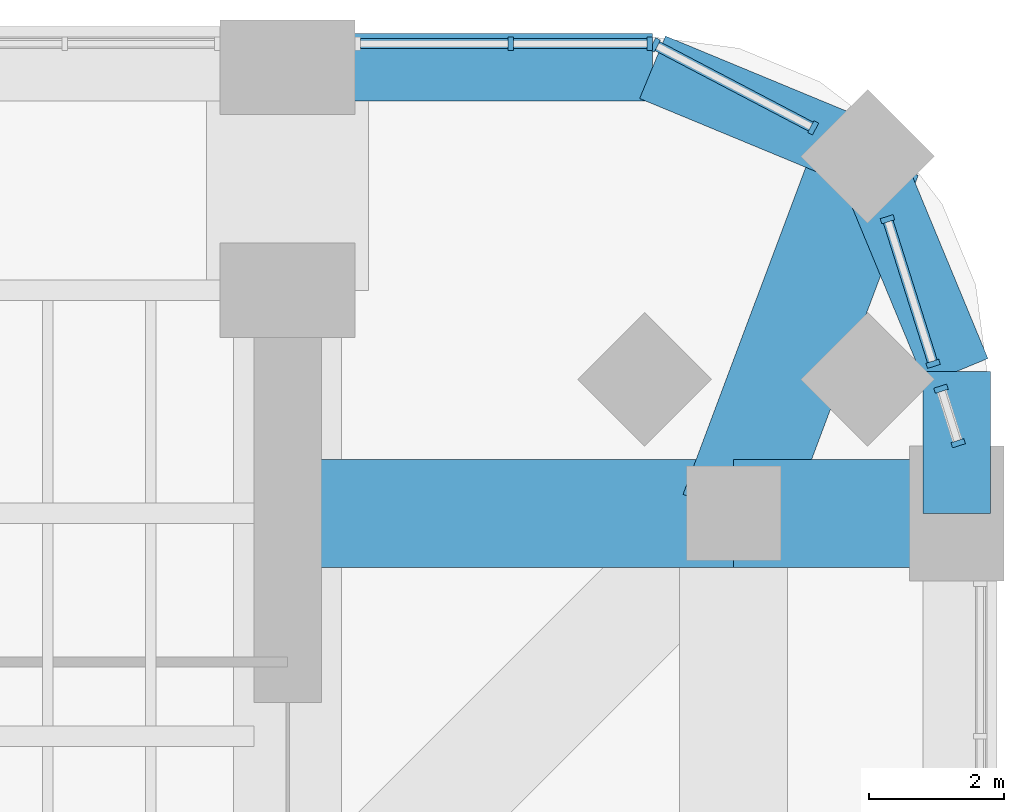
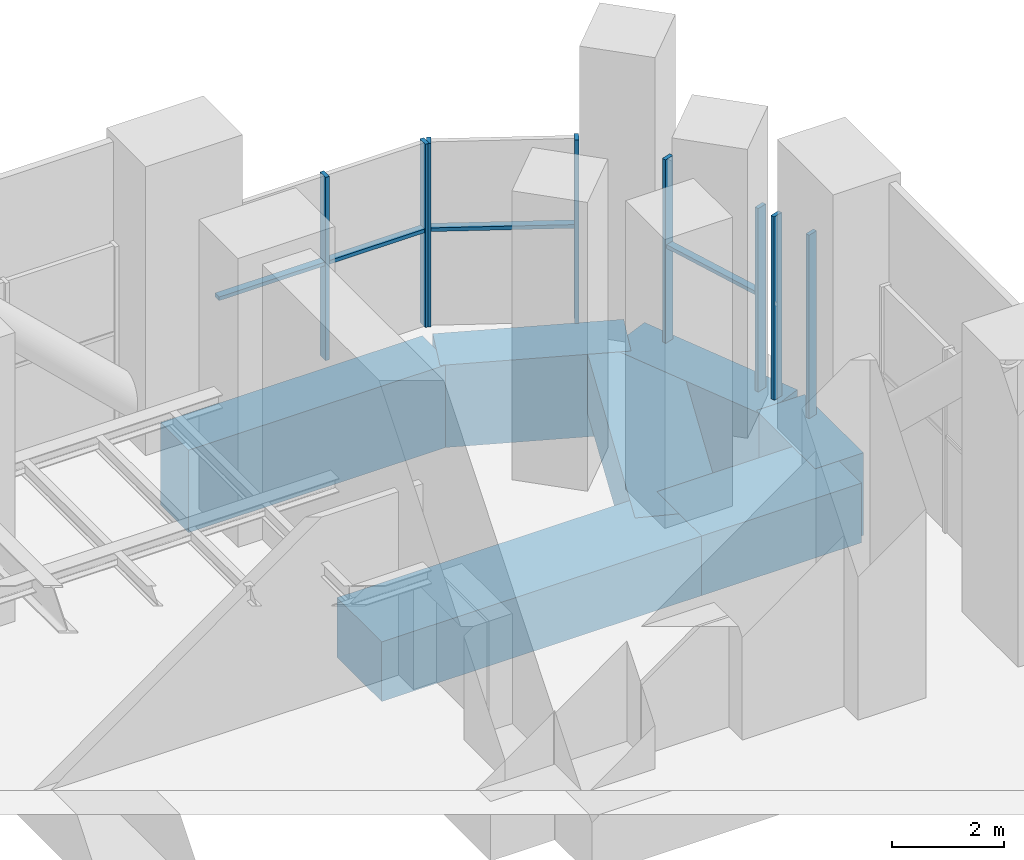
# One storey, part 9 of 16: 12 members, 7 beams, 4 elements without a shape of their own.
"""IFC4 building model written with IfcOpenShell, lengths in metres."""

from ifc_helpers import new_model, si_unit, direction, frame, origin, origin_2d, place, context, subcontext, project, spatial, rectangle, extrude, material, material_profile, profile_set, type_object, element, aggregate, save


model = new_model("IFC4")

# Units and contexts
model_context = context("Model", 3, precision=1e-05, world=origin(), true_north=direction((0.0, 1.0)))
body_context = subcontext(model_context, "Body", "Model", "MODEL_VIEW")
ifc_project = project(units=[si_unit("LENGTHUNIT", "METRE"), si_unit("AREAUNIT", "SQUARE_METRE"), si_unit("VOLUMEUNIT", "CUBIC_METRE"), si_unit("PLANEANGLEUNIT", "RADIAN"), si_unit("MASSUNIT", "GRAM", prefix="KILO")], contexts=[model_context])

# Site, building, storey
site_placement = place(None, origin())
site = spatial("IfcSite", under=ifc_project, at=site_placement, CompositionType="ELEMENT")
building_placement = place(site_placement, origin())
building = spatial("IfcBuilding", under=site, at=building_placement, Name="Cobogo Forest Laboratory Tower", CompositionType="ELEMENT")
storey_placement = place(building_placement, frame((0.0, 0.0, 149.39990234375)))
storey = spatial("IfcBuildingStorey", under=building, at=storey_placement, Name="L34", CompositionType="ELEMENT", Elevation=149.39990234375)

# Curtain wall, members
ifc_material_1 = material(Name="Aluminium curtain wall", Category="aluminium")
curtain_wall_type = type_object("IfcCurtainWallType", Name="CW-P louvred curtain wall, plant floors", PredefinedType="USERDEFINED", material=ifc_material_1)
curtain_wall_1_placement = place(storey_placement, origin())
curtain_wall_1 = element("IfcCurtainWall", 1, at=curtain_wall_1_placement, inside=storey, type_object=curtain_wall_type, Name="Curtain wall 15 L34", ObjectType="LOUVRED CURTAIN WALL", PredefinedType="USERDEFINED")
ifc_material_2 = material(Name="Aluminium mullion", Category="aluminium")
ifc_material_profile_1 = material_profile(ifc_material_2, rectangle(XDim=0.080078125, YDim=0.199951171875, at=origin_2d()), Name="AL 80x200")
ifc_profile_set_1 = profile_set([ifc_material_profile_1], Name="Aluminium mullion")
member_type_1 = type_object("IfcMemberType", Name="MU-3 aluminium louvre mullion 80x200", PredefinedType="MULLION", material=ifc_profile_set_1)
member_1_placement = place(storey_placement, frame((49.522216796875, 40.63818359375, 0.0), z_axis=(0.0, 0.0, 1.0), x_axis=(-0.301135352577, 0.953581406818, 0.0)))
member_1 = element("IfcMember", 2, at=member_1_placement, type_object=member_type_1, Name="CW-P mullion 1", PredefinedType="MULLION", context=body_context, shape_type="SweptSolid", body=[
    extrude(rectangle(XDim=0.080078125, YDim=0.199951171875, at=origin_2d()), origin(), (0.0, 0.0, 1.0), 4.0),
])
member_2_placement = place(storey_placement, frame((49.267822265625, 41.44384765625, 0.0), z_axis=(0.0, 0.0, 1.0), x_axis=(-0.301135352577, 0.953581406818, 0.0)))
member_2 = element("IfcMember", 3, at=member_2_placement, type_object=member_type_1, Name="CW-P mullion 2", PredefinedType="MULLION", context=body_context, shape_type="SweptSolid", body=[
    extrude(rectangle(XDim=0.080078125, YDim=0.199951171875, at=origin_2d()), origin(), (0.0, 0.0, 1.0), 4.0),
])
aggregate(curtain_wall_1, [member_1, member_2])

curtain_wall_2_placement = place(storey_placement, origin())
curtain_wall_2 = element("IfcCurtainWall", 4, at=curtain_wall_2_placement, inside=storey, type_object=curtain_wall_type, Name="Curtain wall 16 L34", ObjectType="LOUVRED CURTAIN WALL", PredefinedType="USERDEFINED")
member_3_placement = place(storey_placement, frame((49.1513671875, 41.8125, 0.0), z_axis=(0.0, 0.0, 1.0), x_axis=(-0.301135343623, 0.953581409645, 0.0)))
member_3 = element("IfcMember", 5, at=member_3_placement, type_object=member_type_1, Name="CW-P mullion 1", PredefinedType="MULLION", context=body_context, shape_type="SweptSolid", body=[
    extrude(rectangle(XDim=0.080078125, YDim=0.199951171875, at=origin_2d()), origin(), (0.0, 0.0, 1.0), 4.0),
])
member_4_placement = place(storey_placement, frame((48.475830078125, 43.95166015625, 0.0), z_axis=(0.0, 0.0, 1.0), x_axis=(-0.301135343623, 0.953581409645, 0.0)))
member_4 = element("IfcMember", 6, at=member_4_placement, type_object=member_type_1, Name="CW-P mullion 2", PredefinedType="MULLION", context=body_context, shape_type="SweptSolid", body=[
    extrude(rectangle(XDim=0.080078125, YDim=0.199951171875, at=origin_2d()), origin(), (0.0, 0.0, 1.0), 4.0),
])

curtain_wall_3_placement = place(storey_placement, origin())
curtain_wall_3 = element("IfcCurtainWall", 7, at=curtain_wall_3_placement, inside=storey, type_object=curtain_wall_type, Name="Curtain wall 17 L34", ObjectType="LOUVRED CURTAIN WALL", PredefinedType="USERDEFINED")
member_5_placement = place(storey_placement, frame((47.37646484375, 45.30419921875, 0.0), z_axis=(0.0, 0.0, 1.0), x_axis=(-0.885686540666, 0.464283697413, 0.0)))
member_5 = element("IfcMember", 8, at=member_5_placement, type_object=member_type_1, Name="CW-P mullion 1", PredefinedType="MULLION", context=body_context, shape_type="SweptSolid", body=[
    extrude(rectangle(XDim=0.080078125, YDim=0.199951171875, at=origin_2d()), origin(), (0.0, 0.0, 1.0), 4.0),
])
member_6_placement = place(storey_placement, frame((45.035400390625, 46.531494140625, 0.0), z_axis=(0.0, 0.0, 1.0), x_axis=(-0.885686540666, 0.464283697413, 0.0)))
member_6 = element("IfcMember", 9, at=member_6_placement, type_object=member_type_1, Name="CW-P mullion 2", PredefinedType="MULLION", context=body_context, shape_type="SweptSolid", body=[
    extrude(rectangle(XDim=0.080078125, YDim=0.199951171875, at=origin_2d()), origin(), (0.0, 0.0, 1.0), 4.0),
])

curtain_wall_4_placement = place(storey_placement, origin())
curtain_wall_4 = element("IfcCurtainWall", 10, at=curtain_wall_4_placement, inside=storey, type_object=curtain_wall_type, Name="Curtain wall 18 L34", ObjectType="LOUVRED CURTAIN WALL", PredefinedType="USERDEFINED")
member_7_placement = place(storey_placement, frame((44.9599609375, 46.550048828125, 0.0), z_axis=(0.0, 0.0, 1.0), x_axis=(-1.0, 0.0, 0.0)))
member_7 = element("IfcMember", 11, at=member_7_placement, type_object=member_type_1, Name="CW-P mullion 1", PredefinedType="MULLION", context=body_context, shape_type="SweptSolid", body=[
    extrude(rectangle(XDim=0.080078125, YDim=0.199951171875, at=origin_2d()), origin(), (0.0, 0.0, 1.0), 4.0),
])
member_8_placement = place(storey_placement, frame((42.89990234375, 46.550048828125, 0.0), z_axis=(0.0, 0.0, 1.0), x_axis=(-1.0, 0.0, 0.0)))
member_8 = element("IfcMember", 12, at=member_8_placement, type_object=member_type_1, Name="CW-P mullion 2", PredefinedType="MULLION", context=body_context, shape_type="SweptSolid", body=[
    extrude(rectangle(XDim=0.080078125, YDim=0.199951171875, at=origin_2d()), origin(), (0.0, 0.0, 1.0), 4.0),
])

# Beams
ifc_material_3 = material(Name="Concrete HA-40 (C40/50)", Category="concrete")
ifc_material_profile_2 = material_profile(ifc_material_3, rectangle(XDim=1.60009765625, YDim=1.300048828125, at=origin_2d()), Name="RC 1600x1300")
ifc_profile_set_2 = profile_set([ifc_material_profile_2], Name="Concrete HA-40 (C40/50)")
beam_type_1 = type_object("IfcBeamType", Name="Plant and roof garden wide beam 1600x1300", PredefinedType="BEAM", material=ifc_profile_set_2)
beam_1_placement = place(storey_placement, frame((49.5, 39.60009765625, -1.0), z_axis=(-1.0, 0.0, 0.0), x_axis=(0.0, -1.0, 0.0)))
element("IfcBeam", 13, at=beam_1_placement, inside=storey, type_object=beam_type_1, Name="RB4 G-NE-YF L34", PredefinedType="BEAM", context=body_context, shape_type="SweptSolid", body=[
    extrude(rectangle(XDim=1.60009765625, YDim=1.300048828125, at=origin_2d()), origin(), (0.0, 0.0, 1.0), 3.300048828125),
])
beam_2_placement = place(storey_placement, frame((46.199951171875, 39.60009765625, -1.0), z_axis=(-1.0, 0.0, 0.0), x_axis=(0.0, -1.0, 0.0)))
element("IfcBeam", 14, at=beam_2_placement, inside=storey, type_object=beam_type_1, Name="RB4 G-NE-YC L34", PredefinedType="BEAM", context=body_context, shape_type="SweptSolid", body=[
    extrude(rectangle(XDim=1.60009765625, YDim=1.300048828125, at=origin_2d()), origin(), (0.0, 0.0, 1.0), 6.599853515625),
])
beam_3_placement = place(storey_placement, frame((48.181884765625, 44.882080078125, -1.0), z_axis=(-0.351308391925, -0.936259800356, 0.0), x_axis=(0.936259800356, -0.351308391925, 0.0)))
element("IfcBeam", 15, at=beam_3_placement, inside=storey, type_object=beam_type_1, Name="RB4 G-NE-D1 L34", PredefinedType="BEAM", context=body_context, shape_type="SweptSolid", body=[
    extrude(rectangle(XDim=1.60009765625, YDim=1.300048828125, at=origin_2d()), origin(), (0.0, 0.0, 1.0), 5.6416015625),
])
ifc_material_profile_3 = material_profile(ifc_material_3, rectangle(XDim=1.0, YDim=1.800048828125, at=origin_2d()), Name="RC 1000x1800")
ifc_profile_set_3 = profile_set([ifc_material_profile_3], Name="Concrete HA-40 (C40/50)")
beam_type_2 = type_object("IfcBeamType", Name="Plant floor perimeter girder 1000x1800", PredefinedType="BEAM", material=ifc_profile_set_3)
beam_4_placement = place(storey_placement, frame((49.5, 39.60009765625, -1.25), z_axis=(0.0, 1.0, 0.0), x_axis=(-1.0, 0.0, 0.0)))
element("IfcBeam", 16, at=beam_4_placement, inside=storey, type_object=beam_type_2, Name="TG1 E-NEE1 L34", PredefinedType="BEAM", context=body_context, shape_type="SweptSolid", body=[
    extrude(rectangle(XDim=1.0, YDim=1.800048828125, at=origin_2d()), origin(), (0.0, 0.0, 1.0), 2.099853515625),
])
beam_5_placement = place(storey_placement, frame((49.5, 41.699951171875, -1.25), z_axis=(-0.382691928466, 0.923876013265, 0.0), x_axis=(-0.923876013265, -0.382691928466, 0.0)))
element("IfcBeam", 17, at=beam_5_placement, inside=storey, type_object=beam_type_2, Name="TG1 E-NEE2 L34", PredefinedType="BEAM", context=body_context, shape_type="SweptSolid", body=[
    extrude(rectangle(XDim=1.0, YDim=1.800048828125, at=origin_2d()), origin(), (0.0, 0.0, 1.0), 3.4443359375),
])
beam_6_placement = place(storey_placement, frame((39.60009765625, 46.199951171875, -1.25), z_axis=(1.0, 0.0, 0.0), x_axis=(0.0, 1.0, 0.0)))
element("IfcBeam", 18, at=beam_6_placement, inside=storey, type_object=beam_type_2, Name="TG1 E-NEN1 L34", PredefinedType="BEAM", context=body_context, shape_type="SweptSolid", body=[
    extrude(rectangle(XDim=1.0, YDim=1.800048828125, at=origin_2d()), origin(), (0.0, 0.0, 1.0), 5.39990234375),
])
beam_7_placement = place(storey_placement, frame((45.0, 46.199951171875, -1.25), z_axis=(0.923890694089, -0.382656484822, 0.0), x_axis=(0.382656484822, 0.923890694089, 0.0)))
element("IfcBeam", 19, at=beam_7_placement, inside=storey, type_object=beam_type_2, Name="TG1 E-NEN2 L34", PredefinedType="BEAM", context=body_context, shape_type="SweptSolid", body=[
    extrude(rectangle(XDim=1.0, YDim=1.800048828125, at=origin_2d()), origin(), (0.0, 0.0, 1.0), 3.444091796875),
])

# Member
ifc_material_4 = material(Name="Aluminium transom", Category="aluminium")
ifc_material_profile_4 = material_profile(ifc_material_4, rectangle(XDim=0.14990234375, YDim=0.080078125, at=origin_2d()), Name="AL 80x150")
ifc_profile_set_4 = profile_set([ifc_material_profile_4], Name="Aluminium transom")
member_type_2 = type_object("IfcMemberType", Name="TR-2 aluminium louvre transom 80x150", PredefinedType="USERDEFINED", material=ifc_profile_set_4)
member_9_placement = place(storey_placement, frame((49.13916015625, 41.850830078125, 2.10009765625), z_axis=(-0.301120564836, 0.953586076573, 0.0), x_axis=(-0.953586076573, -0.301120564836, 0.0)))
member_9 = element("IfcMember", 20, at=member_9_placement, type_object=member_type_2, Name="CW-P transom 1.1", ObjectType="TRANSOM", PredefinedType="USERDEFINED", context=body_context, shape_type="SweptSolid", body=[
    extrude(rectangle(XDim=0.14990234375, YDim=0.080078125, at=origin_2d()), origin(), (0.0, 0.0, 1.0), 2.1630859375),
])

aggregate(curtain_wall_2, [member_3, member_4, member_9])

member_10_placement = place(storey_placement, frame((47.341064453125, 45.32275390625, 2.10009765625), z_axis=(-0.88567116116, 0.464313034805, 0.0), x_axis=(-0.464313034805, -0.88567116116, 0.0)))
member_10 = element("IfcMember", 21, at=member_10_placement, type_object=member_type_2, Name="CW-P transom 1.1", ObjectType="TRANSOM", PredefinedType="USERDEFINED", context=body_context, shape_type="SweptSolid", body=[
    extrude(rectangle(XDim=0.14990234375, YDim=0.080078125, at=origin_2d()), origin(), (0.0, 0.0, 1.0), 2.563232421875),
])

aggregate(curtain_wall_3, [member_5, member_6, member_10])

member_11_placement = place(storey_placement, frame((44.919921875, 46.550048828125, 2.10009765625), z_axis=(-1.0, 0.0, 0.0), x_axis=(0.0, -1.0, 0.0)))
member_11 = element("IfcMember", 22, at=member_11_placement, type_object=member_type_2, Name="CW-P transom 1.1", ObjectType="TRANSOM", PredefinedType="USERDEFINED", context=body_context, shape_type="SweptSolid", body=[
    extrude(rectangle(XDim=0.14990234375, YDim=0.080078125, at=origin_2d()), origin(), (0.0, 0.0, 1.0), 1.97998046875),
])

member_12_placement = place(storey_placement, frame((42.860107421875, 46.550048828125, 2.10009765625), z_axis=(-1.0, 0.0, 0.0), x_axis=(0.0, -1.0, 0.0)))
member_12 = element("IfcMember", 23, at=member_12_placement, type_object=member_type_2, Name="CW-P transom 2.1", ObjectType="TRANSOM", PredefinedType="USERDEFINED", context=body_context, shape_type="SweptSolid", body=[
    extrude(rectangle(XDim=0.14990234375, YDim=0.080078125, at=origin_2d()), origin(), (0.0, 0.0, 1.0), 2.18017578125),
])

aggregate(curtain_wall_4, [member_7, member_8, member_11, member_12])

save(model, "model.ifc")
